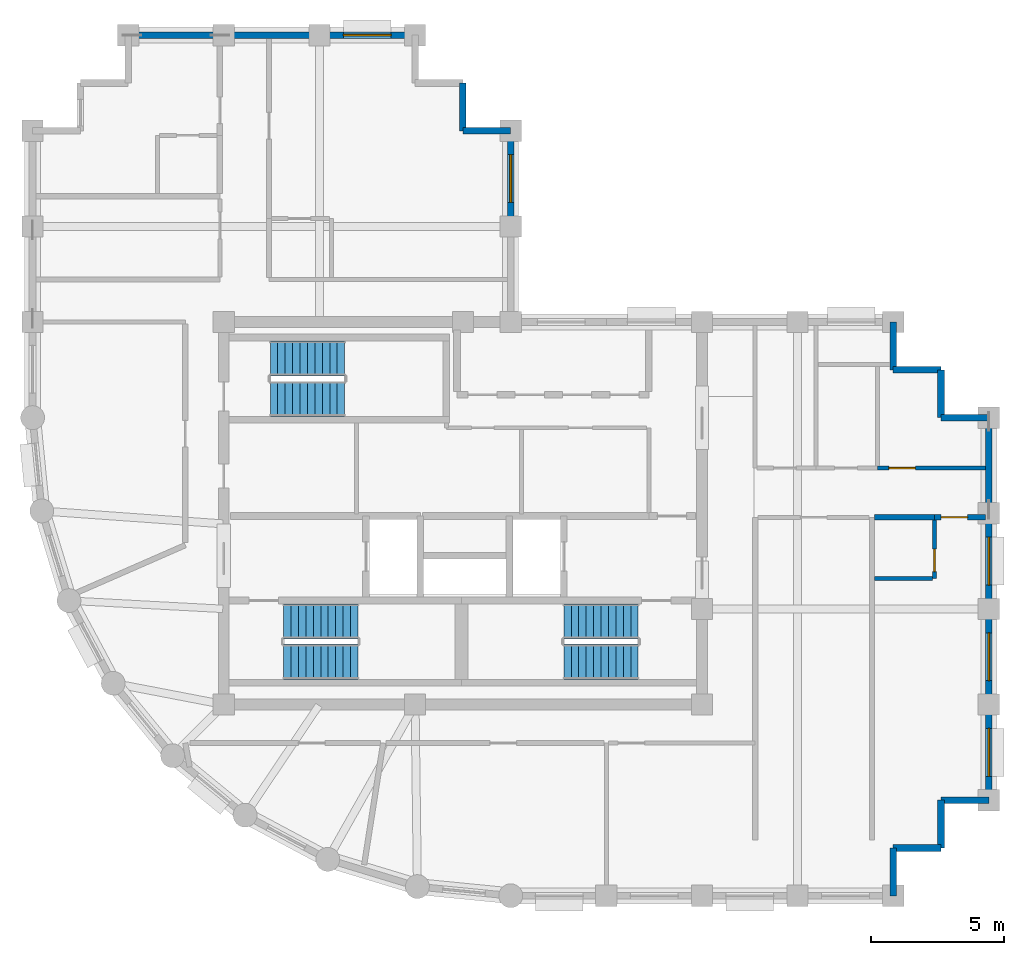
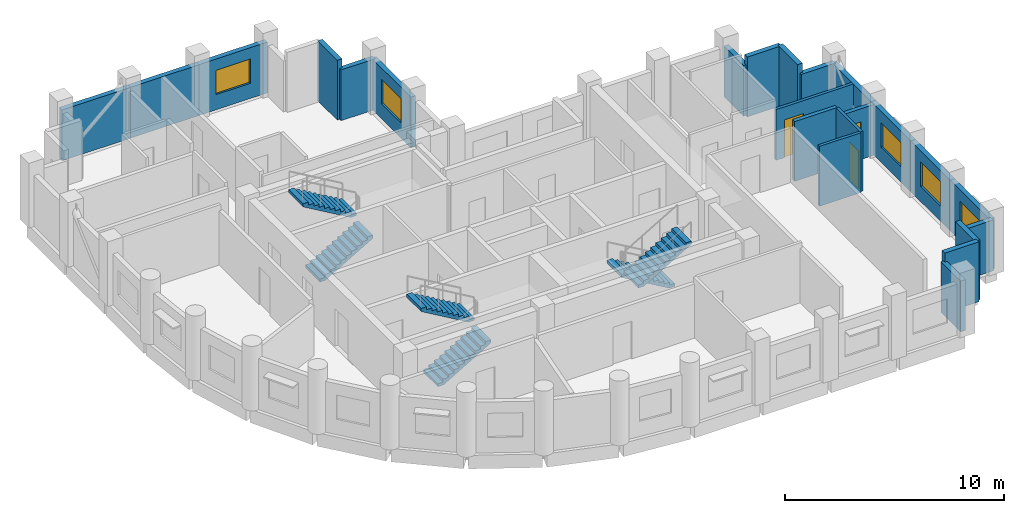
# One storey, part 5 of 7: 23 walls, 6 stair flights, 5 windows, 3 doors, 8 openings, 3 elements without a shape of their own.
"""IFC4 building model written with IfcOpenShell, lengths in metres."""

from ifc_helpers import new_model, si_unit, direction, frame, frame_2d, origin, place, context, subcontext, project, spatial, polyline, rectangle, outline, extrude, material, layer, layer_set, type_object, element, fill, aggregate, save


model = new_model("IFC4")

# Units and contexts
model_context = context("Model", 3, precision=1e-05, world=origin(), true_north=direction((0.0, 1.0)))
body_context = subcontext(model_context, "Body", "Model", "MODEL_VIEW")
ifc_project = project(units=[si_unit("LENGTHUNIT", "METRE"), si_unit("AREAUNIT", "SQUARE_METRE"), si_unit("VOLUMEUNIT", "CUBIC_METRE"), si_unit("PLANEANGLEUNIT", "RADIAN"), si_unit("MASSUNIT", "GRAM", prefix="KILO")], contexts=[model_context])

# Site, building, storey
site_placement = place(None, origin())
site = spatial("IfcSite", under=ifc_project, at=site_placement, CompositionType="ELEMENT")
building_placement = place(site_placement, origin())
building = spatial("IfcBuilding", under=site, at=building_placement, Name="Solnavia Interchange Tower", CompositionType="ELEMENT")
storey_placement = place(building_placement, frame((0.0, 0.0, 242.60009765625)))
storey = spatial("IfcBuildingStorey", under=building, at=storey_placement, Name="L61", CompositionType="ELEMENT", Elevation=242.60009765625)

# Wall
ifc_material_1 = material(Name="Gypsum Acoustic Twin-Stud & Mineral Wool", Category="gypsum")
ifc_layer_1 = layer(ifc_material_1, 0.199951171875)
ifc_layer_set_1 = layer_set([ifc_layer_1], Name="Gypsum Acoustic Twin-Stud & Mineral Wool")
wall_type_1 = type_object("IfcWallType", Name="Wall-ApartmentParty-200", PredefinedType="PARTITIONING", material=ifc_layer_set_1)
wall_1_placement = place(storey_placement, frame((38.904052734375, 17.85009765625, 0.0), z_axis=(0.0, 0.0, 1.0), x_axis=(1.0, 0.0, 0.0)))
element("IfcWall", 1, at=wall_1_placement, inside=storey, type_object=wall_type_1, Name="PTW-L61-20 Interior partition wall", PredefinedType="PARTITIONING", context=body_context, shape_type="SweptSolid", body=[
    extrude(rectangle(XDim=2.245849609375, YDim=0.199951171875, at=frame_2d((1.123046875, 0.0))), origin(), (0.0, 0.0, 1.0), 3.3349609375),
])

# Wall, opening, door
wall_2_placement = place(storey_placement, frame((41.14990234375, 17.85009765625, 0.0), z_axis=(0.0, 0.0, 1.0), x_axis=(1.0, 0.0, 0.0)))
wall_2 = element("IfcWall", 2, at=wall_2_placement, inside=storey, type_object=wall_type_1, Name="PTW-L61-21 Interior partition wall", PredefinedType="PARTITIONING", context=body_context, shape_type="SweptSolid", body=[
    extrude(rectangle(XDim=1.921142578125, YDim=0.199951171875, at=frame_2d((0.96044921875, 0.0))), origin(), (0.0, 0.0, 1.0), 2.829833984375),
])
opening_1_placement = place(wall_2_placement, frame((0.25, 0.0, 0.0)))
opening_1 = element("IfcOpeningElement", 3, at=opening_1_placement, cuts=wall_2, Name="Opening DR-06", PredefinedType="OPENING", context=body_context, shape_type="SweptSolid", body=[
    extrude(rectangle(XDim=1.0, YDim=2.10009765625, at=frame_2d((0.5, 1.050048828125))), frame((0.0, 0.10986328125, 0.0), z_axis=(0.0, -1.0, 0.0), x_axis=(1.0, 0.0, 0.0)), (0.0, 0.0, 1.0), 0.219970703125),
])
ifc_material_2 = material(Name="Engineered Timber Acoustic Fire Door", Category="wood")
door_type_1 = type_object("IfcDoorType", Name="Door-FlatEntry-1000x2100", OperationType="SINGLE_SWING_LEFT", PredefinedType="DOOR", material=ifc_material_2)
door_1_placement = place(opening_1_placement, origin())
door_1 = element("IfcDoor", 4, at=door_1_placement, inside=storey, type_object=door_type_1, Name="DR-L61-09 Interior room door", OperationType="SINGLE_SWING_LEFT", OverallHeight=2.10009765625, OverallWidth=1.0, PredefinedType="DOOR", context=body_context, shape_type="SweptSolid", body=[
    extrude(rectangle(XDim=1.0, YDim=2.10009765625, at=frame_2d((0.5, 1.050048828125))), frame((0.0, 0.02490234375, 0.0), z_axis=(0.0, -1.0, 0.0), x_axis=(1.0, 0.0, 0.0)), (0.0, 0.0, 1.0), 0.050048828125),
])
fill(opening_1, door_1)

# Walls
ifc_material_3 = material(Name="Concrete C40/50", Category="concrete")
ifc_layer_2 = layer(ifc_material_3, 0.25)
ifc_layer_set_2 = layer_set([ifc_layer_2], Name="Concrete C40/50")
wall_type_2 = type_object("IfcWallType", Name="Wall-ExtSpandrel-250", PredefinedType="STANDARD", material=ifc_layer_set_2)
wall_3_placement = place(storey_placement, frame((39.60009765625, 5.39990234375, 0.0), z_axis=(0.0, 0.0, 1.0), x_axis=(0.0, -1.0, 0.0)))
element("IfcWall", 5, at=wall_3_placement, inside=storey, type_object=wall_type_2, Name="EXW-L61-05 Exterior precast spandrel wall", PredefinedType="STANDARD", context=body_context, shape_type="SweptSolid", body=[
    extrude(rectangle(XDim=1.7998046875, YDim=0.25, at=frame_2d((0.89990234375, 0.0))), origin(), (0.0, 0.0, 1.0), 2.829833984375),
])
wall_4_placement = place(storey_placement, frame((41.39990234375, 5.39990234375, 0.0), z_axis=(0.0, 0.0, 1.0), x_axis=(-1.0, 0.0, 0.0)))
element("IfcWall", 6, at=wall_4_placement, inside=storey, type_object=wall_type_2, Name="EXW-L61-06 Exterior precast spandrel wall", PredefinedType="STANDARD", context=body_context, shape_type="SweptSolid", body=[
    extrude(rectangle(XDim=1.7998046875, YDim=0.25, at=frame_2d((0.89990234375, 0.0))), origin(), (0.0, 0.0, 1.0), 3.3349609375),
])
wall_5_placement = place(storey_placement, frame((41.39990234375, 7.199951171875, 0.0), z_axis=(0.0, 0.0, 1.0), x_axis=(0.0, -1.0, 0.0)))
element("IfcWall", 7, at=wall_5_placement, inside=storey, type_object=wall_type_2, Name="EXW-L61-07 Exterior precast spandrel wall", PredefinedType="STANDARD", context=body_context, shape_type="SweptSolid", body=[
    extrude(rectangle(XDim=1.800048828125, YDim=0.25, at=frame_2d((0.89990234375, 0.0))), origin(), (0.0, 0.0, 1.0), 3.3349609375),
])
wall_6_placement = place(storey_placement, frame((43.199951171875, 7.199951171875, 0.0), z_axis=(0.0, 0.0, 1.0), x_axis=(-1.0, 0.0, 0.0)))
element("IfcWall", 8, at=wall_6_placement, inside=storey, type_object=wall_type_2, Name="EXW-L61-08 Exterior precast spandrel wall", PredefinedType="STANDARD", context=body_context, shape_type="SweptSolid", body=[
    extrude(rectangle(XDim=1.800048828125, YDim=0.25, at=frame_2d((0.89990234375, 0.0))), origin(), (0.0, 0.0, 1.0), 2.829833984375),
])

# Wall, opening, window
wall_7_placement = place(storey_placement, frame((43.199951171875, 10.800048828125, 0.0), z_axis=(0.0, 0.0, 1.0), x_axis=(0.0, -1.0, 0.0)))
wall_7 = element("IfcWall", 9, at=wall_7_placement, inside=storey, type_object=wall_type_2, Name="EXW-L61-09 Exterior precast spandrel wall", PredefinedType="STANDARD", context=body_context, shape_type="SweptSolid", body=[
    extrude(rectangle(XDim=3.60009765625, YDim=0.25, at=frame_2d((1.800048828125, 0.0))), origin(), (0.0, 0.0, 1.0), 2.829833984375),
])
opening_2_placement = place(wall_7_placement, frame((0.89990234375, 0.0, 0.85009765625)))
opening_2 = element("IfcOpeningElement", 10, at=opening_2_placement, cuts=wall_7, Name="Opening WIN-02", PredefinedType="OPENING", context=body_context, shape_type="SweptSolid", body=[
    extrude(rectangle(XDim=1.800048828125, YDim=1.35009765625, at=frame_2d((0.89990234375, 0.675048828125))), frame((0.0, 0.135009765625, 0.0), z_axis=(0.0, -1.0, 0.0), x_axis=(1.0, 0.0, 0.0)), (0.0, 0.0, 1.0), 0.27001953125),
])
ifc_material_4 = material(Name="Thermal-Break Aluminium & Low-E Glass", Category="aluminium")
window_type = type_object("IfcWindowType", Name="Window-Ribbon-1800x1350", PartitioningType="SINGLE_PANEL", PredefinedType="WINDOW", material=ifc_material_4)
window_1_placement = place(opening_2_placement, origin())
window_1 = element("IfcWindow", 11, at=window_1_placement, inside=storey, type_object=window_type, Name="WIN-L61-09 Facade ribbon window", OverallHeight=1.35009765625, OverallWidth=1.800048828125, PartitioningType="SINGLE_PANEL", PredefinedType="WINDOW", context=body_context, shape_type="SweptSolid", body=[
    extrude(rectangle(XDim=1.800048828125, YDim=1.35009765625, at=frame_2d((0.89990234375, 0.675048828125))), frame((0.0, 0.030029296875, 0.0), z_axis=(0.0, -1.0, 0.0), x_axis=(1.0, 0.0, 0.0)), (0.0, 0.0, 1.0), 0.06005859375),
])
fill(opening_2, window_1)

wall_8_placement = place(storey_placement, frame((43.199951171875, 14.39990234375, 0.0), z_axis=(0.0, 0.0, 1.0), x_axis=(0.0, -1.0, 0.0)))
wall_8 = element("IfcWall", 12, at=wall_8_placement, inside=storey, type_object=wall_type_2, Name="EXW-L61-10 Exterior precast spandrel wall", PredefinedType="STANDARD", context=body_context, shape_type="SweptSolid", body=[
    extrude(rectangle(XDim=3.599853515625, YDim=0.25, at=frame_2d((1.7998046875, 0.0))), origin(), (0.0, 0.0, 1.0), 2.829833984375),
])
opening_3_placement = place(wall_8_placement, frame((0.89990234375, 0.0, 0.85009765625)))
opening_3 = element("IfcOpeningElement", 13, at=opening_3_placement, cuts=wall_8, Name="Opening WIN-02", PredefinedType="OPENING", context=body_context, shape_type="SweptSolid", body=[
    extrude(rectangle(XDim=1.800048828125, YDim=1.35009765625, at=frame_2d((0.89990234375, 0.675048828125))), frame((0.0, 0.135009765625, 0.0), z_axis=(0.0, -1.0, 0.0), x_axis=(1.0, 0.0, 0.0)), (0.0, 0.0, 1.0), 0.27001953125),
])
window_2_placement = place(opening_3_placement, origin())
window_2 = element("IfcWindow", 14, at=window_2_placement, inside=storey, type_object=window_type, Name="WIN-L61-10 Facade ribbon window", OverallHeight=1.35009765625, OverallWidth=1.800048828125, PartitioningType="SINGLE_PANEL", PredefinedType="WINDOW", context=body_context, shape_type="SweptSolid", body=[
    extrude(rectangle(XDim=1.800048828125, YDim=1.35009765625, at=frame_2d((0.89990234375, 0.675048828125))), frame((0.0, 0.030029296875, 0.0), z_axis=(0.0, -1.0, 0.0), x_axis=(1.0, 0.0, 0.0)), (0.0, 0.0, 1.0), 0.06005859375),
])
fill(opening_3, window_2)

wall_9_placement = place(storey_placement, frame((43.199951171875, 18.0, 0.0), z_axis=(0.0, 0.0, 1.0), x_axis=(0.0, -1.0, 0.0)))
wall_9 = element("IfcWall", 15, at=wall_9_placement, inside=storey, type_object=wall_type_2, Name="EXW-L61-11 Exterior precast spandrel wall", PredefinedType="STANDARD", context=body_context, shape_type="SweptSolid", body=[
    extrude(rectangle(XDim=3.60009765625, YDim=0.25, at=frame_2d((1.800048828125, 0.0))), origin(), (0.0, 0.0, 1.0), 2.829833984375),
])
opening_4_placement = place(wall_9_placement, frame((0.89990234375, 0.0, 0.85009765625)))
opening_4 = element("IfcOpeningElement", 16, at=opening_4_placement, cuts=wall_9, Name="Opening WIN-02", PredefinedType="OPENING", context=body_context, shape_type="SweptSolid", body=[
    extrude(rectangle(XDim=1.800048828125, YDim=1.35009765625, at=frame_2d((0.89990234375, 0.675048828125))), frame((0.0, 0.135009765625, 0.0), z_axis=(0.0, -1.0, 0.0), x_axis=(1.0, 0.0, 0.0)), (0.0, 0.0, 1.0), 0.27001953125),
])
window_3_placement = place(opening_4_placement, origin())
window_3 = element("IfcWindow", 17, at=window_3_placement, inside=storey, type_object=window_type, Name="WIN-L61-11 Facade ribbon window", OverallHeight=1.35009765625, OverallWidth=1.800048828125, PartitioningType="SINGLE_PANEL", PredefinedType="WINDOW", context=body_context, shape_type="SweptSolid", body=[
    extrude(rectangle(XDim=1.800048828125, YDim=1.35009765625, at=frame_2d((0.89990234375, 0.675048828125))), frame((0.0, 0.030029296875, 0.0), z_axis=(0.0, -1.0, 0.0), x_axis=(1.0, 0.0, 0.0)), (0.0, 0.0, 1.0), 0.06005859375),
])
fill(opening_4, window_3)

# Walls
wall_10_placement = place(storey_placement, frame((43.199951171875, 21.60009765625, 0.0), z_axis=(0.0, 0.0, 1.0), x_axis=(0.0, -1.0, 0.0)))
element("IfcWall", 18, at=wall_10_placement, inside=storey, type_object=wall_type_2, Name="EXW-L61-12 Exterior precast spandrel wall", PredefinedType="STANDARD", context=body_context, shape_type="SweptSolid", body=[
    extrude(rectangle(XDim=3.60009765625, YDim=0.25, at=frame_2d((1.800048828125, 0.0))), origin(), (0.0, 0.0, 1.0), 2.829833984375),
])
wall_11_placement = place(storey_placement, frame((41.39990234375, 21.60009765625, 0.0), z_axis=(0.0, 0.0, 1.0), x_axis=(1.0, 0.0, 0.0)))
element("IfcWall", 19, at=wall_11_placement, inside=storey, type_object=wall_type_2, Name="EXW-L61-13 Exterior precast spandrel wall", PredefinedType="STANDARD", context=body_context, shape_type="SweptSolid", body=[
    extrude(rectangle(XDim=1.800048828125, YDim=0.25, at=frame_2d((0.89990234375, 0.0))), origin(), (0.0, 0.0, 1.0), 2.829833984375),
])
for number, where, z_axis, x_axis, name in (
    (20, (41.39990234375, 23.39990234375, 0.0), (0.0, 0.0, 1.0), (0.0, -1.0, 0.0), "EXW-L61-14 Exterior precast spandrel wall"),
    (21, (39.60009765625, 23.39990234375, 0.0), (0.0, 0.0, 1.0), (1.0, 0.0, 0.0), "EXW-L61-15 Exterior precast spandrel wall"),
):
    element("IfcWall", number, at=place(storey_placement, frame(where, z_axis=z_axis, x_axis=x_axis)), inside=storey, type_object=wall_type_2, Name=name, PredefinedType="STANDARD", context=body_context, shape_type="SweptSolid", body=[
        extrude(rectangle(XDim=1.7998046875, YDim=0.25, at=frame_2d((0.89990234375, 0.0))), origin(), (0.0, 0.0, 1.0), 3.3349609375),
    ])
wall_12_placement = place(storey_placement, frame((39.60009765625, 25.199951171875, 0.0), z_axis=(0.0, 0.0, 1.0), x_axis=(0.0, -1.0, 0.0)))
element("IfcWall", 22, at=wall_12_placement, inside=storey, type_object=wall_type_2, Name="EXW-L61-16 Exterior precast spandrel wall", PredefinedType="STANDARD", context=body_context, shape_type="SweptSolid", body=[
    extrude(rectangle(XDim=1.800048828125, YDim=0.25, at=frame_2d((0.89990234375, 0.0))), origin(), (0.0, 0.0, 1.0), 2.829833984375),
])

# Wall, opening, window
wall_13_placement = place(storey_placement, frame((25.199951171875, 32.39990234375, 0.0), z_axis=(0.0, 0.0, 1.0), x_axis=(0.0, -1.0, 0.0)))
wall_13 = element("IfcWall", 23, at=wall_13_placement, inside=storey, type_object=wall_type_2, Name="EXW-L61-22 Exterior precast spandrel wall", PredefinedType="STANDARD", context=body_context, shape_type="SweptSolid", body=[
    extrude(rectangle(XDim=3.599853515625, YDim=0.25, at=frame_2d((1.7998046875, 0.0))), origin(), (0.0, 0.0, 1.0), 2.829833984375),
])
opening_5_placement = place(wall_13_placement, frame((0.89990234375, 0.0, 0.85009765625)))
opening_5 = element("IfcOpeningElement", 24, at=opening_5_placement, cuts=wall_13, Name="Opening WIN-02", PredefinedType="OPENING", context=body_context, shape_type="SweptSolid", body=[
    extrude(rectangle(XDim=1.800048828125, YDim=1.35009765625, at=frame_2d((0.89990234375, 0.675048828125))), frame((0.0, 0.135009765625, 0.0), z_axis=(0.0, -1.0, 0.0), x_axis=(1.0, 0.0, 0.0)), (0.0, 0.0, 1.0), 0.27001953125),
])
window_4_placement = place(opening_5_placement, origin())
window_4 = element("IfcWindow", 25, at=window_4_placement, inside=storey, type_object=window_type, Name="WIN-L61-22 Facade ribbon window", OverallHeight=1.35009765625, OverallWidth=1.800048828125, PartitioningType="SINGLE_PANEL", PredefinedType="WINDOW", context=body_context, shape_type="SweptSolid", body=[
    extrude(rectangle(XDim=1.800048828125, YDim=1.35009765625, at=frame_2d((0.89990234375, 0.675048828125))), frame((0.0, 0.030029296875, 0.0), z_axis=(0.0, -1.0, 0.0), x_axis=(1.0, 0.0, 0.0)), (0.0, 0.0, 1.0), 0.06005859375),
])
fill(opening_5, window_4)

# Walls
wall_14_placement = place(storey_placement, frame((23.39990234375, 32.39990234375, 0.0), z_axis=(0.0, 0.0, 1.0), x_axis=(1.0, 0.0, 0.0)))
element("IfcWall", 26, at=wall_14_placement, inside=storey, type_object=wall_type_2, Name="EXW-L61-23 Exterior precast spandrel wall", PredefinedType="STANDARD", context=body_context, shape_type="SweptSolid", body=[
    extrude(rectangle(XDim=1.800048828125, YDim=0.25, at=frame_2d((0.89990234375, 0.0))), origin(), (0.0, 0.0, 1.0), 2.829833984375),
])
wall_15_placement = place(storey_placement, frame((23.39990234375, 32.39990234375, 0.0), z_axis=(0.0, 0.0, 1.0), x_axis=(0.0, 1.0, 0.0)))
element("IfcWall", 27, at=wall_15_placement, inside=storey, type_object=wall_type_2, Name="EXW-L61-24 Exterior precast spandrel wall", PredefinedType="STANDARD", context=body_context, shape_type="SweptSolid", body=[
    extrude(rectangle(XDim=1.800048828125, YDim=0.25, at=frame_2d((0.89990234375, 0.0))), origin(), (0.0, 0.0, 1.0), 3.3349609375),
])

# Wall, opening, window
wall_16_placement = place(storey_placement, frame((18.0, 36.0, 0.0), z_axis=(0.0, 0.0, 1.0), x_axis=(1.0, 0.0, 0.0)))
wall_16 = element("IfcWall", 28, at=wall_16_placement, inside=storey, type_object=wall_type_2, Name="EXW-L61-27 Exterior precast spandrel wall", PredefinedType="STANDARD", context=body_context, shape_type="SweptSolid", body=[
    extrude(rectangle(XDim=3.60009765625, YDim=0.25, at=frame_2d((1.800048828125, 0.0))), origin(), (0.0, 0.0, 1.0), 2.829833984375),
])
opening_6_placement = place(wall_16_placement, frame((0.89990234375, 0.0, 0.85009765625)))
opening_6 = element("IfcOpeningElement", 29, at=opening_6_placement, cuts=wall_16, Name="Opening WIN-02", PredefinedType="OPENING", context=body_context, shape_type="SweptSolid", body=[
    extrude(rectangle(XDim=1.800048828125, YDim=1.35009765625, at=frame_2d((0.89990234375, 0.675048828125))), frame((0.0, 0.135009765625, 0.0), z_axis=(0.0, -1.0, 0.0), x_axis=(1.0, 0.0, 0.0)), (0.0, 0.0, 1.0), 0.27001953125),
])
window_5_placement = place(opening_6_placement, origin())
window_5 = element("IfcWindow", 30, at=window_5_placement, inside=storey, type_object=window_type, Name="WIN-L61-27 Facade ribbon window", OverallHeight=1.35009765625, OverallWidth=1.800048828125, PartitioningType="SINGLE_PANEL", PredefinedType="WINDOW", context=body_context, shape_type="SweptSolid", body=[
    extrude(rectangle(XDim=1.800048828125, YDim=1.35009765625, at=frame_2d((0.89990234375, 0.675048828125))), frame((0.0, 0.030029296875, 0.0), z_axis=(0.0, -1.0, 0.0), x_axis=(1.0, 0.0, 0.0)), (0.0, 0.0, 1.0), 0.06005859375),
])
fill(opening_6, window_5)

# Walls
wall_17_placement = place(storey_placement, frame((14.39990234375, 36.0, 0.0), z_axis=(0.0, 0.0, 1.0), x_axis=(1.0, 0.0, 0.0)))
element("IfcWall", 31, at=wall_17_placement, inside=storey, type_object=wall_type_2, Name="EXW-L61-28 Exterior precast spandrel wall", PredefinedType="STANDARD", context=body_context, shape_type="SweptSolid", body=[
    extrude(rectangle(XDim=3.60009765625, YDim=0.25, at=frame_2d((1.800048828125, 0.0))), origin(), (0.0, 0.0, 1.0), 2.829833984375),
])
wall_18_placement = place(storey_placement, frame((10.800048828125, 36.0, 0.0), z_axis=(0.0, 0.0, 1.0), x_axis=(1.0, 0.0, 0.0)))
element("IfcWall", 32, at=wall_18_placement, inside=storey, type_object=wall_type_2, Name="EXW-L61-29 Exterior precast spandrel wall", PredefinedType="STANDARD", context=body_context, shape_type="SweptSolid", body=[
    extrude(rectangle(XDim=3.599853515625, YDim=0.25, at=frame_2d((1.7998046875, 0.0))), origin(), (0.0, 0.0, 1.0), 2.829833984375),
])

# Wall, opening, door
ifc_material_5 = material(Name="Gypsum Plasterboard & Steel Stud", Category="steel")
ifc_layer_3 = layer(ifc_material_5, 0.14990234375)
ifc_layer_set_3 = layer_set([ifc_layer_3], Name="Gypsum Plasterboard & Steel Stud")
wall_type_3 = type_object("IfcWallType", Name="Wall-Partition-150", PredefinedType="PARTITIONING", material=ifc_layer_set_3)
wall_19_placement = place(storey_placement, frame((39.0, 19.699951171875, 0.0), z_axis=(0.0, 0.0, 1.0), x_axis=(1.0, 0.0, 0.0)))
wall_19 = element("IfcWall", 33, at=wall_19_placement, inside=storey, type_object=wall_type_3, Name="PTW-L61-24 Interior partition wall", PredefinedType="PARTITIONING", context=body_context, shape_type="SweptSolid", body=[
    extrude(rectangle(XDim=4.071044921875, YDim=0.14990234375, at=frame_2d((2.03564453125, 0.0))), origin(), (0.0, 0.0, 1.0), 2.829833984375),
])
opening_7_placement = place(wall_19_placement, frame((0.43798828125, 0.0, 0.0)))
opening_7 = element("IfcOpeningElement", 34, at=opening_7_placement, cuts=wall_19, Name="Opening DR-07", PredefinedType="OPENING", context=body_context, shape_type="SweptSolid", body=[
    extrude(rectangle(XDim=1.0, YDim=2.10009765625, at=frame_2d((0.5, 1.050048828125))), frame((0.0, 0.0849609375, 0.0), z_axis=(0.0, -1.0, 0.0), x_axis=(1.0, 0.0, 0.0)), (0.0, 0.0, 1.0), 0.169921875),
])
ifc_material_6 = material(Name="Timber & Acoustic Glazed Office Door", Category="wood")
door_type_2 = type_object("IfcDoorType", Name="Door-Office-1000x2100", OperationType="SINGLE_SWING_RIGHT", PredefinedType="DOOR", material=ifc_material_6)
door_2_placement = place(opening_7_placement, origin())
door_2 = element("IfcDoor", 35, at=door_2_placement, inside=storey, type_object=door_type_2, Name="DR-L61-11 Interior room door", OperationType="SINGLE_SWING_RIGHT", OverallHeight=2.10009765625, OverallWidth=1.0, PredefinedType="DOOR", context=body_context, shape_type="SweptSolid", body=[
    extrude(rectangle(XDim=1.0, YDim=2.10009765625, at=frame_2d((0.5, 1.050048828125))), frame((0.0, 0.02490234375, 0.0), z_axis=(0.0, -1.0, 0.0), x_axis=(1.0, 0.0, 0.0)), (0.0, 0.0, 1.0), 0.050048828125),
])
fill(opening_7, door_2)

ifc_material_7 = material(Name="Moisture-Resistant Gypsum & Steel Stud", Category="steel")
ifc_layer_4 = layer(ifc_material_7, 0.14990234375)
ifc_layer_set_4 = layer_set([ifc_layer_4], Name="Moisture-Resistant Gypsum & Steel Stud")
wall_type_4 = type_object("IfcWallType", Name="Wall-WetRoom-150", PredefinedType="PARTITIONING", material=ifc_layer_set_4)
wall_20_placement = place(storey_placement, frame((41.14990234375, 15.550048828125, 0.0), z_axis=(0.0, 0.0, 1.0), x_axis=(0.0, 1.0, 0.0)))
wall_20 = element("IfcWall", 36, at=wall_20_placement, inside=storey, type_object=wall_type_4, Name="PTW-L61-22 Interior partition wall", PredefinedType="PARTITIONING", context=body_context, shape_type="SweptSolid", body=[
    extrude(rectangle(XDim=2.196044921875, YDim=0.14990234375, at=frame_2d((1.09814453125, 0.0))), origin(), (0.0, 0.0, 1.0), 3.3349609375),
])
opening_8_placement = place(wall_20_placement, frame((0.25, 0.0, 0.0)))
opening_8 = element("IfcOpeningElement", 37, at=opening_8_placement, cuts=wall_20, Name="Opening DR-10", PredefinedType="OPENING", context=body_context, shape_type="SweptSolid", body=[
    extrude(rectangle(XDim=0.85009765625, YDim=2.10009765625, at=frame_2d((0.425048828125, 1.050048828125))), frame((0.0, 0.0849609375, 0.0), z_axis=(0.0, -1.0, 0.0), x_axis=(1.0, 0.0, 0.0)), (0.0, 0.0, 1.0), 0.169921875),
])
ifc_material_8 = material(Name="Moisture-Resistant Timber Door", Category="wood")
door_type_3 = type_object("IfcDoorType", Name="Door-Bathroom-850x2100", OperationType="SINGLE_SWING_RIGHT", PredefinedType="DOOR", material=ifc_material_8)
door_3_placement = place(opening_8_placement, origin())
door_3 = element("IfcDoor", 38, at=door_3_placement, inside=storey, type_object=door_type_3, Name="DR-L61-10 Interior room door", OperationType="SINGLE_SWING_RIGHT", OverallHeight=2.10009765625, OverallWidth=0.85009765625, PredefinedType="DOOR", context=body_context, shape_type="SweptSolid", body=[
    extrude(rectangle(XDim=0.85009765625, YDim=2.10009765625, at=frame_2d((0.425048828125, 1.050048828125))), frame((0.0, 0.02490234375, 0.0), z_axis=(0.0, -1.0, 0.0), x_axis=(1.0, 0.0, 0.0)), (0.0, 0.0, 1.0), 0.050048828125),
])
fill(opening_8, door_3)

# Wall
wall_21_placement = place(storey_placement, frame((38.904052734375, 15.550048828125, 0.0), z_axis=(0.0, 0.0, 1.0), x_axis=(1.0, 0.0, 0.0)))
element("IfcWall", 39, at=wall_21_placement, inside=storey, type_object=wall_type_4, Name="PTW-L61-23 Interior partition wall", PredefinedType="PARTITIONING", context=body_context, shape_type="SweptSolid", body=[
    extrude(rectangle(XDim=2.1669921875, YDim=0.14990234375, at=frame_2d((1.08349609375, 0.0))), origin(), (0.0, 0.0, 1.0), 3.3349609375),
])

# Stair, stair flights
stair_type = type_object("IfcStairType", Name="Stair-Dogleg-RC", PredefinedType="HALF_TURN_STAIR", material=ifc_material_3)
stair_1_placement = place(storey_placement, origin())
stair_1 = element("IfcStair", 40, at=stair_1_placement, inside=storey, type_object=stair_type, Name="L61 Core exit stair 1", PredefinedType="HALF_TURN_STAIR")
stair_flight_type = type_object("IfcStairFlightType", Name="StairFlight-RC-150", PredefinedType="STRAIGHT", material=ifc_material_3)
stair_flight_1_placement = place(storey_placement, frame((16.64990234375, 12.409912109375, 0.0), z_axis=(0.0, 0.0, 1.0), x_axis=(1.0, 0.0, 0.0)))
stair_flight_1 = element("IfcStairFlight", 41, at=stair_flight_1_placement, type_object=stair_flight_type, Name="ST-1 flight 1", NumberOfRisers=11, NumberOfTreads=10, PredefinedType="STRAIGHT", RiserHeight=0.163636364, TreadLength=0.28, context=body_context, shape_type="SweptSolid", body=[
    extrude(outline(polyline([(0.0, 0.0), (0.0, 0.16357421875), (0.280029296875, 0.16357421875), (0.280029296875, 0.327392578125), (0.56005859375, 0.327392578125), (0.56005859375, 0.490966796875), (0.840087890625, 0.490966796875), (0.840087890625, 0.654541015625), (1.1201171875, 0.654541015625), (1.1201171875, 0.818115234375), (1.39990234375, 0.818115234375), (1.39990234375, 0.98193359375), (1.679931640625, 0.98193359375), (1.679931640625, 1.1455078125), (1.9599609375, 1.1455078125), (1.9599609375, 1.30908203125), (2.239990234375, 1.30908203125), (2.239990234375, 1.47265625), (2.52001953125, 1.47265625), (2.52001953125, 1.636474609375), (2.800048828125, 1.636474609375), (2.800048828125, 1.800048828125), (2.800048828125, 1.462646484375), (0.297119140625, 0.0), (0.0, 0.0)])), frame((0.0, 0.66015625, 0.0), z_axis=(0.0, -1.0, 0.0), x_axis=(1.0, 0.0, 0.0)), (0.0, 0.0, 1.0), 1.320068359375),
])
stair_flight_2_placement = place(storey_placement, frame((19.449951171875, 13.929931640625, 1.7998046875), z_axis=(0.0, 0.0, 1.0), x_axis=(-1.0, 0.0, 0.0)))
stair_flight_2 = element("IfcStairFlight", 42, at=stair_flight_2_placement, type_object=stair_flight_type, Name="ST-1 flight 2", NumberOfRisers=11, NumberOfTreads=10, PredefinedType="STRAIGHT", RiserHeight=0.163636364, TreadLength=0.28, context=body_context, shape_type="SweptSolid", body=[
    extrude(outline(polyline([(0.0, 0.0), (0.0, 0.16357421875), (0.280029296875, 0.16357421875), (0.280029296875, 0.327392578125), (0.56005859375, 0.327392578125), (0.56005859375, 0.490966796875), (0.840087890625, 0.490966796875), (0.840087890625, 0.654541015625), (1.1201171875, 0.654541015625), (1.1201171875, 0.818115234375), (1.39990234375, 0.818115234375), (1.39990234375, 0.98193359375), (1.679931640625, 0.98193359375), (1.679931640625, 1.1455078125), (1.9599609375, 1.1455078125), (1.9599609375, 1.30908203125), (2.239990234375, 1.30908203125), (2.239990234375, 1.47265625), (2.52001953125, 1.47265625), (2.52001953125, 1.636474609375), (2.800048828125, 1.636474609375), (2.800048828125, 1.800048828125), (2.800048828125, 1.462646484375), (0.297119140625, 0.0), (0.0, 0.0)])), frame((0.0, 0.66015625, 0.0), z_axis=(0.0, -1.0, 0.0), x_axis=(1.0, 0.0, 0.0)), (0.0, 0.0, 1.0), 1.320068359375),
])
aggregate(stair_1, [stair_flight_1, stair_flight_2])

stair_2_placement = place(storey_placement, origin())
stair_2 = element("IfcStair", 43, at=stair_2_placement, inside=storey, type_object=stair_type, Name="L61 Core exit stair 2", PredefinedType="HALF_TURN_STAIR")
stair_flight_3_placement = place(storey_placement, frame((30.0, 13.929931640625, 0.0), z_axis=(0.0, 0.0, 1.0), x_axis=(-1.0, 0.0, 0.0)))
stair_flight_3 = element("IfcStairFlight", 44, at=stair_flight_3_placement, type_object=stair_flight_type, Name="ST-2 flight 1", NumberOfRisers=11, NumberOfTreads=10, PredefinedType="STRAIGHT", RiserHeight=0.163636364, TreadLength=0.28, context=body_context, shape_type="SweptSolid", body=[
    extrude(outline(polyline([(0.0, 0.0), (0.0, 0.16357421875), (0.280029296875, 0.16357421875), (0.280029296875, 0.327392578125), (0.56005859375, 0.327392578125), (0.56005859375, 0.490966796875), (0.840087890625, 0.490966796875), (0.840087890625, 0.654541015625), (1.1201171875, 0.654541015625), (1.1201171875, 0.818115234375), (1.39990234375, 0.818115234375), (1.39990234375, 0.98193359375), (1.679931640625, 0.98193359375), (1.679931640625, 1.1455078125), (1.9599609375, 1.1455078125), (1.9599609375, 1.30908203125), (2.239990234375, 1.30908203125), (2.239990234375, 1.47265625), (2.52001953125, 1.47265625), (2.52001953125, 1.636474609375), (2.800048828125, 1.636474609375), (2.800048828125, 1.800048828125), (2.800048828125, 1.462646484375), (0.297119140625, 0.0), (0.0, 0.0)])), frame((0.0, 0.66015625, 0.0), z_axis=(0.0, -1.0, 0.0), x_axis=(1.0, 0.0, 0.0)), (0.0, 0.0, 1.0), 1.320068359375),
])
stair_flight_4_placement = place(storey_placement, frame((27.199951171875, 12.409912109375, 1.7998046875), z_axis=(0.0, 0.0, 1.0), x_axis=(1.0, 0.0, 0.0)))
stair_flight_4 = element("IfcStairFlight", 45, at=stair_flight_4_placement, type_object=stair_flight_type, Name="ST-2 flight 2", NumberOfRisers=11, NumberOfTreads=10, PredefinedType="STRAIGHT", RiserHeight=0.163636364, TreadLength=0.28, context=body_context, shape_type="SweptSolid", body=[
    extrude(outline(polyline([(0.0, 0.0), (0.0, 0.16357421875), (0.280029296875, 0.16357421875), (0.280029296875, 0.327392578125), (0.56005859375, 0.327392578125), (0.56005859375, 0.490966796875), (0.840087890625, 0.490966796875), (0.840087890625, 0.654541015625), (1.1201171875, 0.654541015625), (1.1201171875, 0.818115234375), (1.39990234375, 0.818115234375), (1.39990234375, 0.98193359375), (1.679931640625, 0.98193359375), (1.679931640625, 1.1455078125), (1.9599609375, 1.1455078125), (1.9599609375, 1.30908203125), (2.239990234375, 1.30908203125), (2.239990234375, 1.47265625), (2.52001953125, 1.47265625), (2.52001953125, 1.636474609375), (2.800048828125, 1.636474609375), (2.800048828125, 1.800048828125), (2.800048828125, 1.462646484375), (0.297119140625, 0.0), (0.0, 0.0)])), frame((0.0, 0.66015625, 0.0), z_axis=(0.0, -1.0, 0.0), x_axis=(1.0, 0.0, 0.0)), (0.0, 0.0, 1.0), 1.320068359375),
])
aggregate(stair_2, [stair_flight_3, stair_flight_4])

stair_3_placement = place(storey_placement, origin())
stair_3 = element("IfcStair", 46, at=stair_3_placement, inside=storey, type_object=stair_type, Name="L61 Core exit stair 3", PredefinedType="HALF_TURN_STAIR")
stair_flight_5_placement = place(storey_placement, frame((16.14990234375, 22.31005859375, 0.0), z_axis=(0.0, 0.0, 1.0), x_axis=(1.0, 0.0, 0.0)))
stair_flight_5 = element("IfcStairFlight", 47, at=stair_flight_5_placement, type_object=stair_flight_type, Name="ST-3 flight 1", NumberOfRisers=11, NumberOfTreads=10, PredefinedType="STRAIGHT", RiserHeight=0.163636364, TreadLength=0.28, context=body_context, shape_type="SweptSolid", body=[
    extrude(outline(polyline([(0.0, 0.0), (0.0, 0.16357421875), (0.280029296875, 0.16357421875), (0.280029296875, 0.327392578125), (0.56005859375, 0.327392578125), (0.56005859375, 0.490966796875), (0.840087890625, 0.490966796875), (0.840087890625, 0.654541015625), (1.1201171875, 0.654541015625), (1.1201171875, 0.818115234375), (1.39990234375, 0.818115234375), (1.39990234375, 0.98193359375), (1.679931640625, 0.98193359375), (1.679931640625, 1.1455078125), (1.9599609375, 1.1455078125), (1.9599609375, 1.30908203125), (2.239990234375, 1.30908203125), (2.239990234375, 1.47265625), (2.52001953125, 1.47265625), (2.52001953125, 1.636474609375), (2.800048828125, 1.636474609375), (2.800048828125, 1.800048828125), (2.800048828125, 1.462646484375), (0.297119140625, 0.0), (0.0, 0.0)])), frame((0.0, 0.66015625, 0.0), z_axis=(0.0, -1.0, 0.0), x_axis=(1.0, 0.0, 0.0)), (0.0, 0.0, 1.0), 1.320068359375),
])
stair_flight_6_placement = place(storey_placement, frame((18.949951171875, 23.830078125, 1.7998046875), z_axis=(0.0, 0.0, 1.0), x_axis=(-1.0, 0.0, 0.0)))
stair_flight_6 = element("IfcStairFlight", 48, at=stair_flight_6_placement, type_object=stair_flight_type, Name="ST-3 flight 2", NumberOfRisers=11, NumberOfTreads=10, PredefinedType="STRAIGHT", RiserHeight=0.163636364, TreadLength=0.28, context=body_context, shape_type="SweptSolid", body=[
    extrude(outline(polyline([(0.0, 0.0), (0.0, 0.16357421875), (0.280029296875, 0.16357421875), (0.280029296875, 0.327392578125), (0.56005859375, 0.327392578125), (0.56005859375, 0.490966796875), (0.840087890625, 0.490966796875), (0.840087890625, 0.654541015625), (1.1201171875, 0.654541015625), (1.1201171875, 0.818115234375), (1.39990234375, 0.818115234375), (1.39990234375, 0.98193359375), (1.679931640625, 0.98193359375), (1.679931640625, 1.1455078125), (1.9599609375, 1.1455078125), (1.9599609375, 1.30908203125), (2.239990234375, 1.30908203125), (2.239990234375, 1.47265625), (2.52001953125, 1.47265625), (2.52001953125, 1.636474609375), (2.800048828125, 1.636474609375), (2.800048828125, 1.800048828125), (2.800048828125, 1.462646484375), (0.297119140625, 0.0), (0.0, 0.0)])), frame((0.0, 0.66015625, 0.0), z_axis=(0.0, -1.0, 0.0), x_axis=(1.0, 0.0, 0.0)), (0.0, 0.0, 1.0), 1.320068359375),
])
aggregate(stair_3, [stair_flight_5, stair_flight_6])

save(model, "model.ifc")
